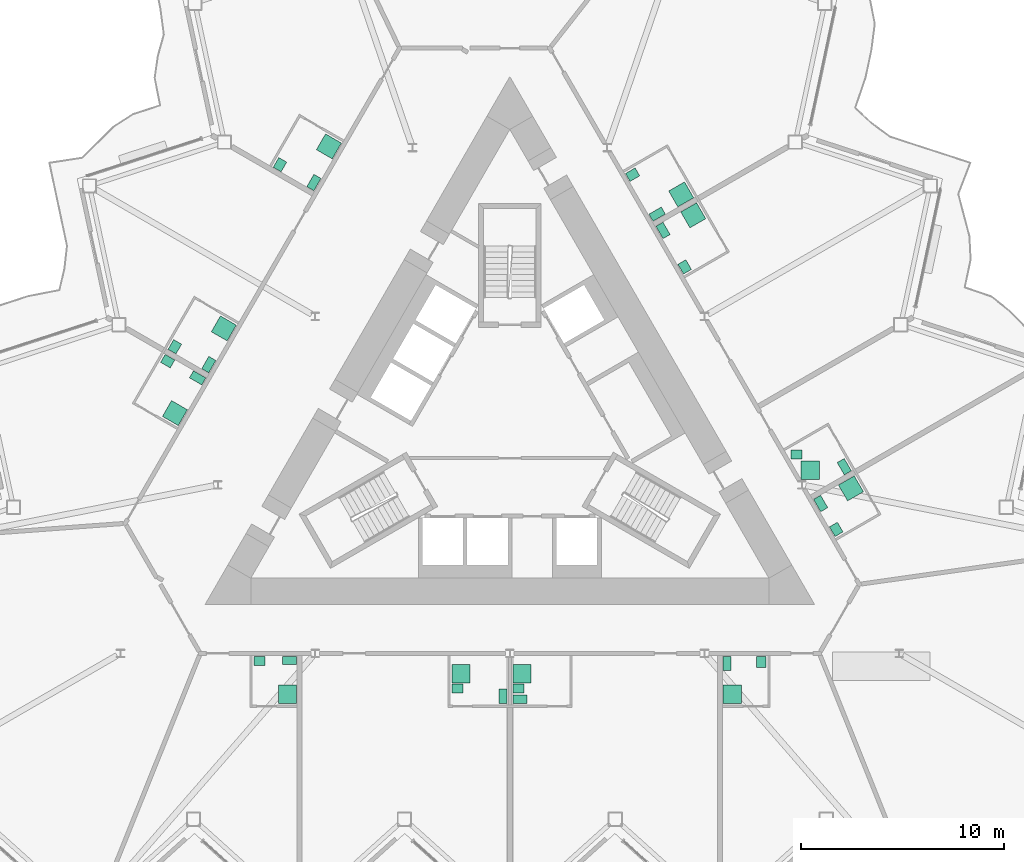
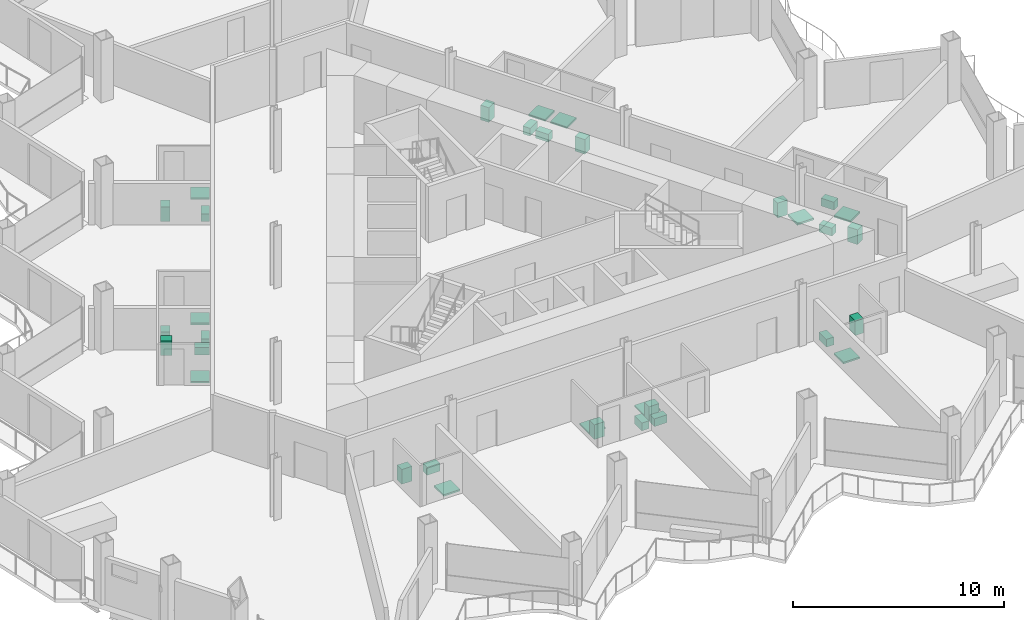
# One storey, part 23 of 24: 33 sanitary terminals.
"""IFC4 building model written with IfcOpenShell, lengths in metres."""

import ifcopenshell
import ifcopenshell.guid

model = None  # the IFC model being written
_history = None  # IfcOwnerHistory: only IFC2X3 demands one
_inside = {}  # id of a spatial element -> (the spatial element, [elements in it])
_under = {}  # id of a project, library or spatial element -> (it, [spatial elements below it])
_declared = {}  # id of a project -> (the project, [libraries it declares])
_typed = {}  # id of a type object -> (the type object, [elements of that type])
_made_of = {}  # id of a material, layer set ... -> (it, [elements and type objects made of it])


def new_model(schema):
    """Start an empty IFC model of exactly this schema.

    Asked for "IFC4X3", IfcOpenShell would pick the latest addendum, in which some entities
    have other attributes; the version numbers below select the first issue.
    IFC2X3 requires an IfcOwnerHistory on every rooted entity: one is made here for all.
    """
    global model, _history
    if schema == "IFC4X3":
        model = ifcopenshell.file(schema_version=(4, 3, 0, 0))
    else:
        model = ifcopenshell.file(schema=schema)
    _inside.clear()
    _under.clear()
    _declared.clear()
    _typed.clear()
    _made_of.clear()
    _history = None
    if model.schema == "IFC2X3":
        org = make("IfcOrganization", Name="unknown")
        user = make(
            "IfcPersonAndOrganization",
            ThePerson=make("IfcPerson", FamilyName="unknown"),
            TheOrganization=org,
        )
        app = make(
            "IfcApplication",
            ApplicationDeveloper=org,
            Version="unknown",
            ApplicationFullName="unknown",
            ApplicationIdentifier="unknown",
        )
        _history = make(
            "IfcOwnerHistory",
            OwningUser=user,
            OwningApplication=app,
            ChangeAction="ADDED",
            CreationDate=0,
        )
    return model


def make(cls, **values):
    """One entity of the class cls with the attributes given. An attribute that is None is left unset."""
    return model.create_entity(
        cls, **{name: value for name, value in values.items() if value is not None}
    )


def rooted(cls, **values):
    """An entity with a GlobalId (a new one), such as an element, a storey or a relation."""
    return make(cls, GlobalId=ifcopenshell.guid.new(), OwnerHistory=_history, **values)


def si_unit(unit_type, name, prefix=None):
    """IfcSIUnit, for example si_unit("LENGTHUNIT", "METRE", prefix="MILLI")."""
    return make("IfcSIUnit", UnitType=unit_type, Prefix=prefix, Name=name)


def assignment(units):
    """IfcUnitAssignment: the units of a project."""
    return None if units is None else make("IfcUnitAssignment", Units=units)


def point(xyz):
    """IfcCartesianPoint."""
    return None if xyz is None else make("IfcCartesianPoint", Coordinates=xyz)


def direction(xyz):
    """IfcDirection."""
    return None if xyz is None else make("IfcDirection", DirectionRatios=xyz)


def frame(location, z_axis=None, x_axis=None):
    """IfcAxis2Placement3D, a coordinate frame: its origin and axes. An axis left out is left unset."""
    return make(
        "IfcAxis2Placement3D",
        Location=point(location),
        Axis=direction(z_axis),
        RefDirection=direction(x_axis),
    )


def frame_2d(location, x_axis=None):
    """IfcAxis2Placement2D, a coordinate frame in the plane: its origin and x axis."""
    return make(
        "IfcAxis2Placement2D", Location=point(location), RefDirection=direction(x_axis)
    )


def origin():
    """The frame at (0, 0, 0) with its axes left unset."""
    return frame((0.0, 0.0, 0.0))


def origin_2d():
    """The frame at (0, 0) in the plane with its x axis left unset."""
    return frame_2d((0.0, 0.0))


def place(relative_to, where):
    """IfcLocalPlacement: puts the frame where relative to a parent placement (None: the world)."""
    return make(
        "IfcLocalPlacement", PlacementRelTo=relative_to, RelativePlacement=where
    )


def context(
    kind, dimensions, precision=None, world=None, true_north=None, identifier=None
):
    """IfcGeometricRepresentationContext, for example the 3D "Model" context."""
    return make(
        "IfcGeometricRepresentationContext",
        ContextIdentifier=identifier,
        ContextType=kind,
        CoordinateSpaceDimension=dimensions,
        Precision=precision,
        WorldCoordinateSystem=world,
        TrueNorth=true_north,
    )


def subcontext(parent, identifier, kind, view, scale=None):
    """IfcGeometricRepresentationSubContext, for example "Body" below "Model"."""
    return make(
        "IfcGeometricRepresentationSubContext",
        ContextIdentifier=identifier,
        ContextType=kind,
        ParentContext=parent,
        TargetScale=scale,
        TargetView=view,
    )


def project(units=None, contexts=None):
    """IfcProject with its units and contexts."""
    return rooted(
        "IfcProject",
        Name="project",
        RepresentationContexts=contexts,
        UnitsInContext=assignment(units),
    )


def spatial(cls, under=None, at=None, **own):
    """A site, building, storey or space (cls), placed at a placement, below another one or the project."""
    s = rooted(cls, ObjectPlacement=at, **own)
    if under is not None:
        _under.setdefault(under.id(), (under, []))[1].append(s)
    return s


def profile(cls, at=None, kind="AREA", **sizes):
    """A parametric profile (cls). Its sizes go by their IFC names, for example OverallWidth=200.0."""
    return make(cls, ProfileType=kind, Position=at, **sizes)


def rectangle(**sizes):
    """IfcRectangleProfileDef."""
    return profile("IfcRectangleProfileDef", **sizes)


def extrude(swept, where, along, depth):
    """IfcExtrudedAreaSolid: the profile swept, set in the frame where, extruded along a direction by depth."""
    return make(
        "IfcExtrudedAreaSolid",
        SweptArea=swept,
        Position=where,
        ExtrudedDirection=direction(along),
        Depth=depth,
    )


def shape(context_of_items, identifier, shape_type, items):
    """IfcShapeRepresentation: the items that make up one representation, for example the "Body"."""
    return make(
        "IfcShapeRepresentation",
        ContextOfItems=context_of_items,
        RepresentationIdentifier=identifier,
        RepresentationType=shape_type,
        Items=items,
    )


def material(Name=None, Category=None):
    """IfcMaterial."""
    return make("IfcMaterial", Name=Name, Category=Category)


def made_of(thing, what):
    """Note that an element or type object is made of a material, layer set ...; save() writes the relation."""
    if what is not None:
        _made_of.setdefault(what.id(), (what, []))[1].append(thing)
    return thing


def type_object(cls, material=None, **own):
    """A type object (cls), such as IfcWallType, which elements share."""
    return made_of(rooted(cls, **own), material)


def element(
    cls,
    number,
    at=None,
    inside=None,
    cuts=None,
    type_object=None,
    material=None,
    context=None,
    identifier="Body",
    shape_type=None,
    held_by="IfcProductDefinitionShape",
    body=None,
    shapes=None,
    **own,
):
    """One element of the class cls, such as IfcWall. Its Tag is "e" and its number.

    at: its placement. inside: the storey or other place that contains it. cuts: it is an
    opening in that element (IfcRelVoidsElement). A single representation is given by context,
    identifier, shape_type and body (its items); several are given by shapes. held_by: the class
    of the entity that holds the representations. save() writes the other relations.
    """
    e = rooted(cls, Tag="e%d" % number, ObjectPlacement=at, **own)
    if body is not None:
        shapes = [shape(context, identifier, shape_type, body)]
    if shapes is not None:
        e.Representation = make(held_by, Representations=shapes)
    if inside is not None:
        _inside.setdefault(inside.id(), (inside, []))[1].append(e)
    if cuts is not None:
        rooted(
            "IfcRelVoidsElement", RelatingBuildingElement=cuts, RelatedOpeningElement=e
        )
    if type_object is not None:
        _typed.setdefault(type_object.id(), (type_object, []))[1].append(e)
    return made_of(e, material)


def aggregate(whole, parts):
    """IfcRelAggregates: a whole, such as a stair, and the parts it consists of."""
    return rooted("IfcRelAggregates", RelatingObject=whole, RelatedObjects=parts)


def save(model, path):
    """Write the relations noted so far, then the file.

    IfcRelAggregates (storeys below a building ...), IfcRelContainedInSpatialStructure (elements
    in a storey), IfcRelDefinesByType, IfcRelAssociatesMaterial and IfcRelDeclares: one each for
    every whole, place, type object, material and project.
    """
    for whole, parts in _under.values():
        aggregate(whole, parts)
    for where, things in _inside.values():
        rooted(
            "IfcRelContainedInSpatialStructure",
            RelatedElements=things,
            RelatingStructure=where,
        )
    for kind, things in _typed.values():
        rooted("IfcRelDefinesByType", RelatedObjects=things, RelatingType=kind)
    for what, things in _made_of.values():
        rooted("IfcRelAssociatesMaterial", RelatedObjects=things, RelatingMaterial=what)
    for by, libraries in _declared.values():
        rooted("IfcRelDeclares", RelatingContext=by, RelatedDefinitions=libraries)
    model.write(path)


model = new_model("IFC4")

# Units and contexts
model_context = context("Model", 3, precision=1e-05, world=origin(), true_north=direction((0.0, 1.0)))
body_context = subcontext(model_context, "Body", "Model", "MODEL_VIEW")
ifc_project = project(units=[si_unit("LENGTHUNIT", "METRE"), si_unit("AREAUNIT", "SQUARE_METRE"), si_unit("VOLUMEUNIT", "CUBIC_METRE"), si_unit("PLANEANGLEUNIT", "RADIAN"), si_unit("MASSUNIT", "GRAM", prefix="KILO")], contexts=[model_context])

# Site, building, storey
site_placement = place(None, origin())
site = spatial("IfcSite", under=ifc_project, at=site_placement, CompositionType="ELEMENT")
building_placement = place(site_placement, origin())
building = spatial("IfcBuilding", under=site, at=building_placement, Name="Cormorant Prow Tower", CompositionType="ELEMENT")
storey_placement = place(building_placement, frame((0.0, 0.0, 234.60009765625)))
storey = spatial("IfcBuildingStorey", under=building, at=storey_placement, Name="L51", CompositionType="ELEMENT", Elevation=234.60009765625)

# Sanitary terminals
ifc_material_1 = material(Name="Vitreous china")
sanitary_terminal_type_1 = type_object("IfcSanitaryTerminalType", Name="Shower tray 900x900", PredefinedType="SHOWER", material=ifc_material_1)
for number, where, z_axis, x_axis, name in (
    (1, (-10.938720703125, -13.065185546875, -0.000244140625), (0.0, 0.0, 1.0), (-1.0, 0.0, 0.0), "Shower tray"),
    (2, (-2.405029296875, -12.065185546875, -0.000244140625), (0.0, 0.0, 1.0), (1.0, 0.0, 0.0), "Shower tray"),
    (3, (0.594970703125, -12.065185546875, -0.000244140625), (0.0, 0.0, 1.0), (1.0, 0.0, 0.0), "Shower tray"),
    (4, (10.938720703125, -13.065185546875, -0.000244140625), (0.0, 0.0, 1.0), (0.0, 1.0, 0.0), "Shower tray"),
    (5, (16.7841796875, -2.940673828125, -0.000244140625), (0.0, 0.0, 1.0), (0.5, -0.866025403784, 0.0), "Shower tray"),
    (6, (14.780029296875, -2.048095703125, -0.000244140625), (0.0, 0.0, 1.0), (1.0, 0.0, 0.0), "Shower tray"),
    (7, (9.0263671875, 10.496337890625, -0.000244140625), (0.0, 0.0, 1.0), (0.5, -0.866025403784, 0.0), "Shower tray"),
    (8, (8.431396484375, 11.52685546875, -0.000244140625), (0.0, 0.0, 1.0), (-0.866025403784, -0.5, 0.0), "Shower tray"),
    (9, (-8.9033203125, 13.889404296875, -0.000244140625), (0.0, 0.0, 1.0), (-0.5, -0.866025403784, 0.0), "Shower tray"),
    (10, (-14.0751953125, 4.931396484375, -0.000244140625), (0.0, 0.0, 1.0), (-0.5, -0.866025403784, 0.0), "Shower tray"),
    (11, (-16.480224609375, 0.765869140625, -0.000244140625), (0.0, 0.0, 1.0), (-0.866025403784, 0.5, 0.0), "Shower tray"),
):
    element("IfcSanitaryTerminal", number, at=place(storey_placement, frame(where, z_axis=z_axis, x_axis=x_axis)), inside=storey, type_object=sanitary_terminal_type_1, Name=name, PredefinedType="SHOWER", context=body_context, shape_type="SweptSolid", body=[
        extrude(rectangle(XDim=0.89990234375, YDim=0.89990234375, at=origin_2d()), origin(), (0.0, 0.0, 1.0), 0.10009765625),
    ])
ifc_material_2 = material(Name="Vitreous china")
sanitary_terminal_type_2 = type_object("IfcSanitaryTerminalType", Name="Wash basin 550x450", PredefinedType="WASHHANDBASIN", material=ifc_material_2)
for number, where, z_axis, x_axis, name in (
    (12, (-12.32373046875, -11.430419921875, -0.000244140625), (0.0, 0.0, 1.0), (1.0, 0.0, 0.0), "Wash basin"),
    (13, (-2.580078125, -12.790283203125, -0.000244140625), (0.0, 0.0, 1.0), (1.0, 0.0, 0.0), "Wash basin"),
    (14, (0.419921875, -12.790283203125, -0.000244140625), (0.0, 0.0, 1.0), (1.0, 0.0, 0.0), "Wash basin"),
    (15, (12.373779296875, -11.480224609375, -0.000244140625), (0.0, 0.0, 1.0), (0.0, -1.0, 0.0), "Wash basin"),
    (16, (16.060791015625, -4.95751953125, -0.000244140625), (0.0, 0.0, 1.0), (-0.5, 0.866025403784, 0.0), "Wash basin"),
    (17, (14.10498046875, -1.273193359375, -0.000244140625), (0.0, 0.0, 1.0), (1.0, 0.0, 0.0), "Wash basin"),
    (18, (8.602783203125, 7.959716796875, -0.000244140625), (0.0, 0.0, 1.0), (-0.5, 0.866025403784, 0.0), "Wash basin"),
    (19, (6.041259765625, 12.496826171875, -0.000244140625), (0.0, 0.0, 1.0), (0.866025403784, 0.5, 0.0), "Wash basin"),
    (20, (-11.311767578125, 12.98779296875, -0.000244140625), (0.0, 0.0, 1.0), (0.5, 0.866025403784, 0.0), "Wash basin"),
    (21, (-16.483642578125, 4.02978515625, -0.000244140625), (0.0, 0.0, 1.0), (0.5, 0.866025403784, 0.0), "Wash basin"),
    (22, (-16.83544921875, 3.32080078125, -0.000244140625), (0.0, 0.0, 1.0), (0.866025403784, -0.5, 0.0), "Wash basin"),
):
    element("IfcSanitaryTerminal", number, at=place(storey_placement, frame(where, z_axis=z_axis, x_axis=x_axis)), inside=storey, type_object=sanitary_terminal_type_2, Name=name, PredefinedType="WASHHANDBASIN", context=body_context, shape_type="SweptSolid", body=[
        extrude(rectangle(XDim=0.550048828125, YDim=0.449951171875, at=origin_2d()), origin(), (0.0, 0.0, 1.0), 0.85009765625),
    ])
ifc_material_3 = material(Name="Vitreous china")
sanitary_terminal_type_3 = type_object("IfcSanitaryTerminalType", Name="Water closet 400x700", PredefinedType="WCSEAT", material=ifc_material_3)
for number, where, z_axis, x_axis, name in (
    (23, (-10.8388671875, -11.4052734375, 0.0), (0.0, 0.0, 1.0), (0.0, -1.0, 0.0), "Water closet"),
    (24, (-0.344970703125, -13.165283203125, 0.0), (0.0, 0.0, 1.0), (-1.0, 0.0, 0.0), "Water closet"),
    (25, (0.4951171875, -13.315185546875, 0.0), (0.0, 0.0, 1.0), (0.0, 1.0, 0.0), "Water closet"),
    (26, (10.688720703125, -11.555419921875, 0.0), (0.0, 0.0, 1.0), (1.0, 0.0, 0.0), "Water closet"),
    (27, (15.296630859375, -3.68408203125, 0.0), (0.0, 0.0, 1.0), (0.866025403784, 0.5, 0.0), "Water closet"),
    (28, (16.455810546875, -1.87158203125, 0.0), (0.0, 0.0, 1.0), (-0.866025403784, -0.5, 0.0), "Water closet"),
    (29, (7.538818359375, 9.7529296875, 0.0), (0.0, 0.0, 1.0), (0.866025403784, 0.5, 0.0), "Water closet"),
    (30, (7.248779296875, 10.555419921875, 0.0), (0.0, 0.0, 1.0), (-0.5, 0.866025403784, 0.0), "Water closet"),
    (31, (-9.641845703125, 12.1103515625, 0.0), (0.0, 0.0, 1.0), (-0.866025403784, 0.5, 0.0), "Water closet"),
    (32, (-14.813720703125, 3.15234375, 0.0), (0.0, 0.0, 1.0), (-0.866025403784, 0.5, 0.0), "Water closet"),
    (33, (-15.36376953125, 2.5, 0.0), (0.0, 0.0, 1.0), (-0.5, -0.866025403784, 0.0), "Water closet"),
):
    element("IfcSanitaryTerminal", number, at=place(storey_placement, frame(where, z_axis=z_axis, x_axis=x_axis)), inside=storey, type_object=sanitary_terminal_type_3, Name=name, PredefinedType="WCSEAT", context=body_context, shape_type="SweptSolid", body=[
        extrude(rectangle(XDim=0.39990234375, YDim=0.699951171875, at=origin_2d()), origin(), (0.0, 0.0, 1.0), 0.449951171875),
    ])

save(model, "model.ifc")
